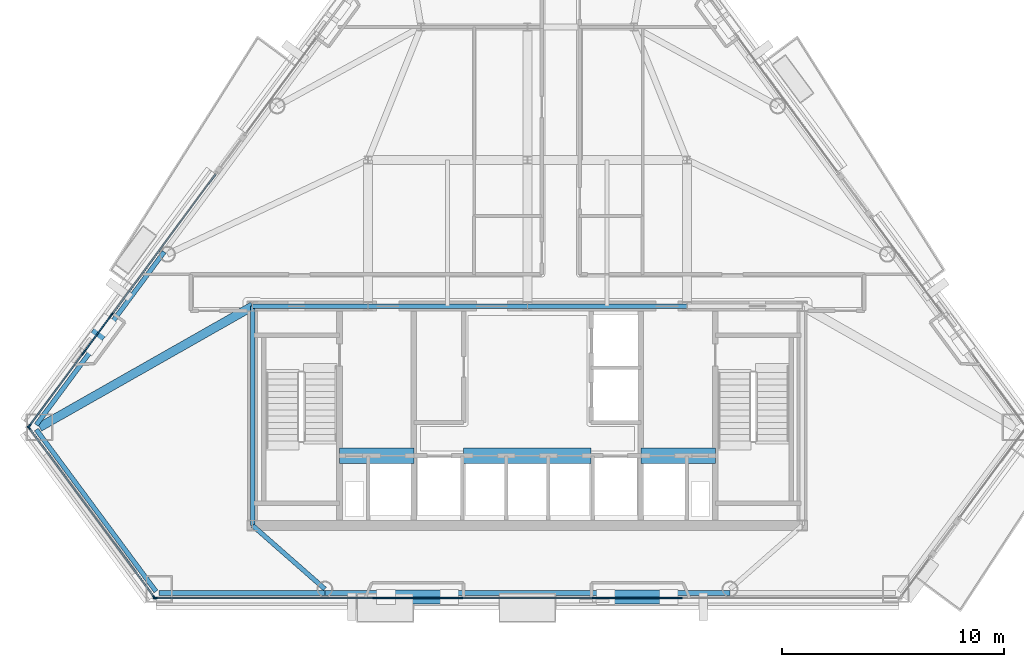
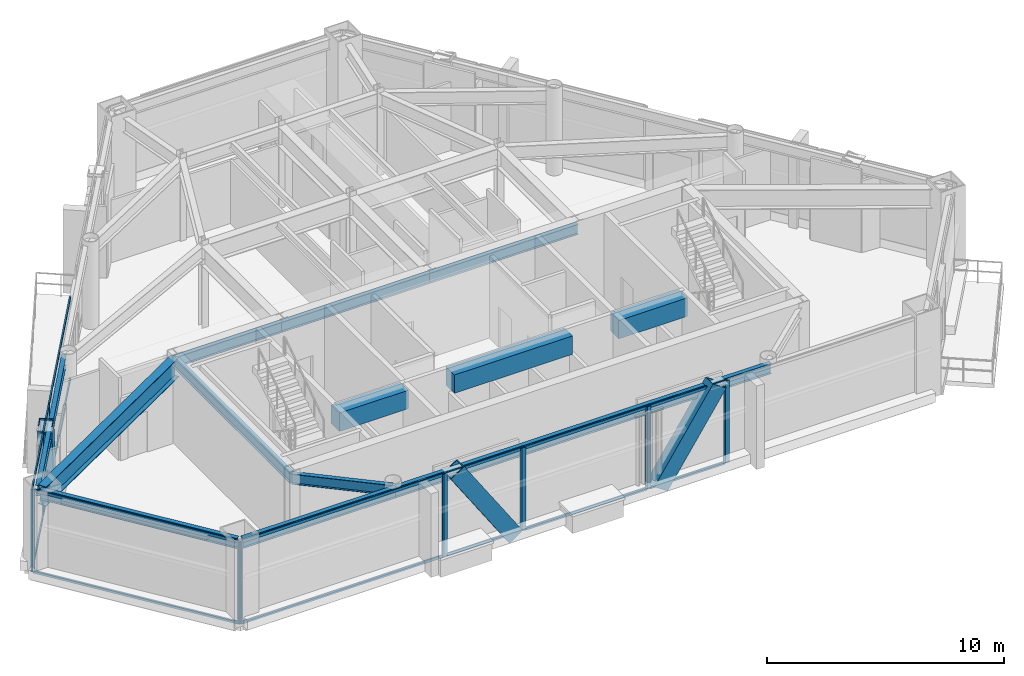
# One storey, part 3 of 11: 35 members, 13 beams, 9 elements without a shape of their own.
"""IFC4 building model written with IfcOpenShell, lengths in metres."""

from ifc_helpers import new_model, si_unit, direction, frame, origin, origin_2d, place, context, subcontext, project, spatial, rectangle, hollow_rectangle, i_section, extrude, material, layer, layer_set, material_profile, profile_set, type_object, element, aggregate, save


model = new_model("IFC4")

# Units and contexts
model_context = context("Model", 3, precision=1e-05, world=origin(), true_north=direction((0.0, 1.0)))
body_context = subcontext(model_context, "Body", "Model", "MODEL_VIEW")
ifc_project = project(units=[si_unit("LENGTHUNIT", "METRE"), si_unit("AREAUNIT", "SQUARE_METRE"), si_unit("VOLUMEUNIT", "CUBIC_METRE"), si_unit("PLANEANGLEUNIT", "RADIAN"), si_unit("MASSUNIT", "GRAM", prefix="KILO")], contexts=[model_context])

# Site, building, storey
site_placement = place(None, origin())
site = spatial("IfcSite", under=ifc_project, at=site_placement, CompositionType="ELEMENT")
building_placement = place(site_placement, origin())
building = spatial("IfcBuilding", under=site, at=building_placement, Name="Talgorran Terracotta Tower", CompositionType="ELEMENT")
storey_placement = place(building_placement, frame((0.0, 0.0, 117.60009765625)))
storey = spatial("IfcBuildingStorey", under=building, at=storey_placement, Name="L30", CompositionType="ELEMENT", Elevation=117.60009765625)

# Beams
ifc_material_1 = material(Name="Steel Grade 350 (350L0)", Category="steel")
ifc_material_profile_1 = material_profile(ifc_material_1, i_section(OverallWidth=0.39990234375, OverallDepth=1.0, WebThickness=0.01611328125, FlangeThickness=0.031005859375, at=origin_2d()), Name="1000WB296")
ifc_profile_set_1 = profile_set([ifc_material_profile_1], Name="Steel Grade 350 (350L0)")
beam_type_1 = type_object("IfcBeamType", Name="BM_1000WB296", PredefinedType="BEAM", material=ifc_profile_set_1)
beam_1_placement = place(storey_placement, frame((-12.39990234375, -4.199951171875, 3.75), z_axis=(-0.869581927132, -0.493788691654, 0.0), x_axis=(0.493788691654, -0.869581927132, 0.0)))
element("IfcBeam", 1, at=beam_1_placement, inside=storey, type_object=beam_type_1, Name="L30 Floor Girder G17", PredefinedType="BEAM", context=body_context, shape_type="SweptSolid", body=[
    extrude(i_section(OverallWidth=0.39990234375, OverallDepth=1.0, WebThickness=0.01611328125, FlangeThickness=0.031005859375, at=origin_2d()), origin(), (0.0, 0.0, 1.0), 11.061279296875),
])
ifc_material_2 = material(Name="Concrete C65/80", Category="concrete")
ifc_material_profile_2 = material_profile(ifc_material_2, rectangle(XDim=0.699951171875, YDim=0.949951171875, at=origin_2d()), Name="RCCB700X950")
ifc_profile_set_2 = profile_set([ifc_material_profile_2], Name="Concrete C65/80")
beam_type_2 = type_object("IfcBeamType", Name="BM_CB_700X950", PredefinedType="LINTEL", material=ifc_profile_set_2)
beam_2_placement = place(storey_placement, frame((-8.47998046875, -10.949951171875, 3.77490234375), z_axis=(1.0, 0.0, 0.0), x_axis=(0.0, 1.0, 0.0)))
element("IfcBeam", 2, at=beam_2_placement, inside=storey, type_object=beam_type_2, Name="L30 Core Shear-Wall Coupling Beam CB1", PredefinedType="LINTEL", context=body_context, shape_type="SweptSolid", body=[
    extrude(rectangle(XDim=0.699951171875, YDim=0.949951171875, at=origin_2d()), origin(), (0.0, 0.0, 1.0), 3.35986328125),
])
beam_3_placement = place(storey_placement, frame((-2.8798828125, -10.949951171875, 3.77490234375), z_axis=(1.0, 0.0, 0.0), x_axis=(0.0, 1.0, 0.0)))
element("IfcBeam", 3, at=beam_3_placement, inside=storey, type_object=beam_type_2, Name="L30 Core Shear-Wall Coupling Beam CB2", PredefinedType="LINTEL", context=body_context, shape_type="SweptSolid", body=[
    extrude(rectangle(XDim=0.699951171875, YDim=0.949951171875, at=origin_2d()), origin(), (0.0, 0.0, 1.0), 5.759765625),
])
beam_4_placement = place(storey_placement, frame((5.1201171875, -10.949951171875, 3.77490234375), z_axis=(1.0, 0.0, 0.0), x_axis=(0.0, 1.0, 0.0)))
element("IfcBeam", 4, at=beam_4_placement, inside=storey, type_object=beam_type_2, Name="L30 Core Shear-Wall Coupling Beam CB3", PredefinedType="LINTEL", context=body_context, shape_type="SweptSolid", body=[
    extrude(rectangle(XDim=0.699951171875, YDim=0.949951171875, at=origin_2d()), origin(), (0.0, 0.0, 1.0), 3.35986328125),
])
ifc_material_3 = material(Name="Steel S355 (300PLUS)", Category="steel")
ifc_material_profile_3 = material_profile(ifc_material_3, i_section(OverallWidth=0.209228515625, OverallDepth=0.532958984375, WebThickness=0.01025390625, FlangeThickness=0.015625, at=origin_2d()), Name="530UB92.4")
ifc_profile_set_3 = profile_set([ifc_material_profile_3], Name="Steel S355 (300PLUS)")
beam_type_3 = type_object("IfcBeamType", Name="BM_SP_530UB92", PredefinedType="SPANDREL", material=ifc_profile_set_3)
beam_5_placement = place(storey_placement, frame((-22.1630859375, -9.768798828125, 3.9833984375), z_axis=(0.594631406603, -0.803998439228, 0.0), x_axis=(0.803998439228, 0.594631406603, 0.0)))
element("IfcBeam", 5, at=beam_5_placement, inside=storey, type_object=beam_type_3, Name="L30 Perimeter Spandrel Beam MC1-MC2", PredefinedType="SPANDREL", context=body_context, shape_type="SweptSolid", body=[
    extrude(i_section(OverallWidth=0.209228515625, OverallDepth=0.532958984375, WebThickness=0.01025390625, FlangeThickness=0.015625, at=origin_2d()), origin(), (0.0, 0.0, 1.0), 9.08154296875),
])
beam_6_placement = place(storey_placement, frame((-16.618408203125, -17.143310546875, 3.9833984375), z_axis=(1.0, 0.0, 0.0), x_axis=(0.0, 1.0, 0.0)))
element("IfcBeam", 6, at=beam_6_placement, inside=storey, type_object=beam_type_3, Name="L30 Perimeter Spandrel Beam MC2-FC1", PredefinedType="SPANDREL", context=body_context, shape_type="SweptSolid", body=[
    extrude(i_section(OverallWidth=0.209228515625, OverallDepth=0.532958984375, WebThickness=0.01025390625, FlangeThickness=0.015625, at=origin_2d()), origin(), (0.0, 0.0, 1.0), 7.478271484375),
])
beam_7_placement = place(storey_placement, frame((-9.14013671875, -17.143310546875, 3.9833984375), z_axis=(1.0, 0.0, 0.0), x_axis=(0.0, 1.0, 0.0)))
element("IfcBeam", 7, at=beam_7_placement, inside=storey, type_object=beam_type_3, Name="L30 Perimeter Spandrel Beam FC1-FC2", PredefinedType="SPANDREL", context=body_context, shape_type="SweptSolid", body=[
    extrude(i_section(OverallWidth=0.209228515625, OverallDepth=0.532958984375, WebThickness=0.01025390625, FlangeThickness=0.015625, at=origin_2d()), origin(), (0.0, 0.0, 1.0), 18.2802734375),
])
beam_8_placement = place(storey_placement, frame((-16.3896484375, -1.74853515625, 3.9833984375), z_axis=(-0.594623640759, -0.804004182732, 0.0), x_axis=(0.804004182732, -0.594623640759, 0.0)))
element("IfcBeam", 8, at=beam_8_placement, inside=storey, type_object=beam_type_3, Name="L30 Perimeter Spandrel Beam FC6-MC1", PredefinedType="SPANDREL", context=body_context, shape_type="SweptSolid", body=[
    extrude(i_section(OverallWidth=0.209228515625, OverallDepth=0.532958984375, WebThickness=0.01025390625, FlangeThickness=0.015625, at=origin_2d()), origin(), (0.0, 0.0, 1.0), 9.70947265625),
])
beam_9_placement = place(storey_placement, frame((-9.14013671875, -16.96337890625, 3.9833984375), z_axis=(-0.751320451725, 0.659937556758, 0.0), x_axis=(-0.659937556758, -0.751320451725, 0.0)))
element("IfcBeam", 9, at=beam_9_placement, inside=storey, type_object=beam_type_3, Name="L30 South-West Core Tie Beam", PredefinedType="SPANDREL", context=body_context, shape_type="SweptSolid", body=[
    extrude(i_section(OverallWidth=0.209228515625, OverallDepth=0.532958984375, WebThickness=0.01025390625, FlangeThickness=0.015625, at=origin_2d()), origin(), (0.0, 0.0, 1.0), 4.338623046875),
])
beam_10_placement = place(storey_placement, frame((-12.39990234375, -14.10009765625, 3.9833984375), z_axis=(0.0, 1.0, 0.0), x_axis=(-1.0, 0.0, 0.0)))
element("IfcBeam", 10, at=beam_10_placement, inside=storey, type_object=beam_type_3, Name="L30 Core Frame Beam CFW", PredefinedType="SPANDREL", context=body_context, shape_type="SweptSolid", body=[
    extrude(i_section(OverallWidth=0.209228515625, OverallDepth=0.532958984375, WebThickness=0.01025390625, FlangeThickness=0.015625, at=origin_2d()), origin(), (0.0, 0.0, 1.0), 9.900146484375),
])
beam_11_placement = place(storey_placement, frame((-12.39990234375, -4.199951171875, 3.9833984375), z_axis=(1.0, 0.0, 0.0), x_axis=(0.0, 1.0, 0.0)))
element("IfcBeam", 11, at=beam_11_placement, inside=storey, type_object=beam_type_3, Name="L30 Core Frame Beam CFN1", PredefinedType="SPANDREL", context=body_context, shape_type="SweptSolid", body=[
    extrude(i_section(OverallWidth=0.209228515625, OverallDepth=0.532958984375, WebThickness=0.01025390625, FlangeThickness=0.015625, at=origin_2d()), origin(), (0.0, 0.0, 1.0), 5.199951171875),
])
for number, where, z_axis, x_axis, name in (
    (12, (-7.199951171875, -4.199951171875, 3.9833984375), (1.0, 0.0, 0.0), (0.0, 1.0, 0.0), "L30 Core Frame Beam CFN2"),
    (13, (0.0, -4.199951171875, 3.9833984375), (1.0, 0.0, 0.0), (0.0, 1.0, 0.0), "L30 Core Frame Beam CFN3"),
):
    element("IfcBeam", number, at=place(storey_placement, frame(where, z_axis=z_axis, x_axis=x_axis)), inside=storey, type_object=beam_type_3, Name=name, PredefinedType="SPANDREL", context=body_context, shape_type="SweptSolid", body=[
        extrude(i_section(OverallWidth=0.209228515625, OverallDepth=0.532958984375, WebThickness=0.01025390625, FlangeThickness=0.015625, at=origin_2d()), origin(), (0.0, 0.0, 1.0), 7.199951171875),
    ])

# Members
ifc_material_profile_4 = material_profile(ifc_material_1, hollow_rectangle(XDim=0.6201171875, YDim=0.780029296875, WallThickness=0.0419921875, at=origin_2d()), Name="WBOX780X620X42")
ifc_profile_set_4 = profile_set([ifc_material_profile_4], Name="Steel Grade 350 (350L0)")
member_type_1 = type_object("IfcMemberType", Name="MB_MEGA_780", PredefinedType="BRACE", material=ifc_profile_set_4)
for number, where, z_axis, x_axis, name in (
    (14, (-3.528076171875, -17.3232421875, -0.025146484375), (-0.55322586202, 0.0, 0.833031299287), (0.0, -1.0, 0.0), "L30 Exterior Face Mega-Brace MB-2 (SWF)"),
    (15, (3.528076171875, -17.3232421875, -0.025146484375), (0.55322586202, 0.0, 0.833031299287), (0.0, 1.0, 0.0), "L30 Exterior Face Mega-Brace MB-2 (SEF)"),
):
    element("IfcMember", number, at=place(storey_placement, frame(where, z_axis=z_axis, x_axis=x_axis)), inside=storey, type_object=member_type_1, Name=name, PredefinedType="BRACE", context=body_context, shape_type="SweptSolid", body=[
        extrude(hollow_rectangle(XDim=0.6201171875, YDim=0.780029296875, WallThickness=0.0419921875, at=origin_2d()), origin(), (0.0, 0.0, 1.0), 5.161865234375),
    ])
member_1_placement = place(storey_placement, frame((-19.063720703125, -5.06103515625, -0.025146484375), z_axis=(-0.140147963335, -0.189530808683, 0.971821290636), x_axis=(0.804054507608, -0.594555589323, 0.0)))
element("IfcMember", 16, at=member_1_placement, inside=storey, type_object=member_type_1, Name="L30 Exterior Face Mega-Brace MB-2 (NWL)", PredefinedType="BRACE", context=body_context, shape_type="SweptSolid", body=[
    extrude(hollow_rectangle(XDim=0.6201171875, YDim=0.780029296875, WallThickness=0.0419921875, at=origin_2d()), origin(), (0.0, 0.0, 1.0), 4.4248046875),
])

# Curtain wall, members
ifc_material_4 = material(Name="Unitised Low-E Double Glazing", Category="glass")
ifc_layer = layer(ifc_material_4, 0.199951171875, Name="CW_SYS2_RES_LOW")
ifc_layer_set = layer_set([ifc_layer], Name="Unitised Low-E Double Glazing")
curtain_wall_type = type_object("IfcCurtainWallType", Name="CW_SYS2_RES_LOW", PredefinedType="NOTDEFINED", material=ifc_layer_set)
curtain_wall_1_placement = place(storey_placement, origin())
curtain_wall_1 = element("IfcCurtainWall", 17, at=curtain_wall_1_placement, inside=storey, type_object=curtain_wall_type, Name="CW-L30-F0", PredefinedType="NOTDEFINED")
ifc_material_5 = material(Name="Architectural Aluminium 6063-T6", Category="aluminium")
ifc_material_profile_5 = material_profile(ifc_material_5, rectangle(XDim=0.06494140625, YDim=0.18505859375, at=origin_2d()), Name="CWM65X185")
ifc_profile_set_5 = profile_set([ifc_material_profile_5], Name="Architectural Aluminium 6063-T6")
member_type_2 = type_object("IfcMemberType", Name="MUL_65X185", PredefinedType="MULLION", material=ifc_profile_set_5)
member_2_placement = place(storey_placement, frame((-22.49658203125, -9.68798828125, 0.0), z_axis=(0.0, 0.0, 1.0), x_axis=(0.803993423692, 0.594638188027, 0.0)))
member_2 = element("IfcMember", 18, at=member_2_placement, type_object=member_type_2, Name="CW-L30-0 mullion 1", PredefinedType="MULLION", context=body_context, shape_type="SweptSolid", body=[
    extrude(rectangle(XDim=0.06494140625, YDim=0.18505859375, at=origin_2d()), origin(), (0.0, 0.0, 1.0), 4.25),
])
member_3_placement = place(storey_placement, frame((-16.83935546875, -17.337158203125, 0.0), z_axis=(0.0, 0.0, 1.0), x_axis=(0.803993423692, 0.594638188027, 0.0)))
member_3 = element("IfcMember", 19, at=member_3_placement, type_object=member_type_2, Name="CW-L30-0 mullion 2", PredefinedType="MULLION", context=body_context, shape_type="SweptSolid", body=[
    extrude(rectangle(XDim=0.06494140625, YDim=0.18505859375, at=origin_2d()), origin(), (0.0, 0.0, 1.0), 4.25),
])

curtain_wall_2_placement = place(storey_placement, origin())
curtain_wall_2 = element("IfcCurtainWall", 20, at=curtain_wall_2_placement, inside=storey, type_object=curtain_wall_type, Name="CW-L30-F1", PredefinedType="NOTDEFINED")
member_4_placement = place(storey_placement, frame((-16.78759765625, -17.36328125, 0.0), z_axis=(0.0, 0.0, 1.0), x_axis=(0.0, 1.0, 0.0)))
member_4 = element("IfcMember", 21, at=member_4_placement, type_object=member_type_2, Name="CW-L30-1 mullion 1", PredefinedType="MULLION", context=body_context, shape_type="SweptSolid", body=[
    extrude(rectangle(XDim=0.06494140625, YDim=0.18505859375, at=origin_2d()), origin(), (0.0, 0.0, 1.0), 4.25),
])
member_5_placement = place(storey_placement, frame((-6.896240234375, -17.36328125, 0.0), z_axis=(0.0, 0.0, 1.0), x_axis=(0.0, 1.0, 0.0)))
member_5 = element("IfcMember", 22, at=member_5_placement, type_object=member_type_2, Name="CW-L30-1 mullion 2", PredefinedType="MULLION", context=body_context, shape_type="SweptSolid", body=[
    extrude(rectangle(XDim=0.06494140625, YDim=0.18505859375, at=origin_2d()), origin(), (0.0, 0.0, 1.0), 4.25),
])

curtain_wall_3_placement = place(storey_placement, origin())
curtain_wall_3 = element("IfcCurtainWall", 23, at=curtain_wall_3_placement, inside=storey, type_object=curtain_wall_type, Name="CW-L30-F1B", PredefinedType="NOTDEFINED")
member_6_placement = place(storey_placement, frame((-6.8212890625, -17.36328125, 0.0), z_axis=(0.0, 0.0, 1.0), x_axis=(0.0, 1.0, 0.0)))
member_6 = element("IfcMember", 24, at=member_6_placement, type_object=member_type_2, Name="CW-L30-1B mullion 1", PredefinedType="MULLION", context=body_context, shape_type="SweptSolid", body=[
    extrude(rectangle(XDim=0.06494140625, YDim=0.18505859375, at=origin_2d()), origin(), (0.0, 0.0, 1.0), 4.25),
])
member_7_placement = place(storey_placement, frame((-3.090576171875, -17.36328125, 0.0), z_axis=(0.0, 0.0, 1.0), x_axis=(0.0, 1.0, 0.0)))
member_7 = element("IfcMember", 25, at=member_7_placement, type_object=member_type_2, Name="CW-L30-1B mullion 2", PredefinedType="MULLION", context=body_context, shape_type="SweptSolid", body=[
    extrude(rectangle(XDim=0.06494140625, YDim=0.18505859375, at=origin_2d()), origin(), (0.0, 0.0, 1.0), 4.25),
])

curtain_wall_4_placement = place(storey_placement, origin())
curtain_wall_4 = element("IfcCurtainWall", 26, at=curtain_wall_4_placement, inside=storey, type_object=curtain_wall_type, Name="CW-L30-F1C", PredefinedType="NOTDEFINED")
member_8_placement = place(storey_placement, frame((-3.015625, -17.36328125, 0.0), z_axis=(0.0, 0.0, 1.0), x_axis=(0.0, 1.0, 0.0)))
member_8 = element("IfcMember", 27, at=member_8_placement, type_object=member_type_2, Name="CW-L30-1C mullion 1", PredefinedType="MULLION", context=body_context, shape_type="SweptSolid", body=[
    extrude(rectangle(XDim=0.06494140625, YDim=0.18505859375, at=origin_2d()), origin(), (0.0, 0.0, 1.0), 4.25),
])
member_9_placement = place(storey_placement, frame((3.015625, -17.36328125, 0.0), z_axis=(0.0, 0.0, 1.0), x_axis=(0.0, 1.0, 0.0)))
member_9 = element("IfcMember", 28, at=member_9_placement, type_object=member_type_2, Name="CW-L30-1C mullion 2", PredefinedType="MULLION", context=body_context, shape_type="SweptSolid", body=[
    extrude(rectangle(XDim=0.06494140625, YDim=0.18505859375, at=origin_2d()), origin(), (0.0, 0.0, 1.0), 4.25),
])

curtain_wall_5_placement = place(storey_placement, origin())
curtain_wall_5 = element("IfcCurtainWall", 29, at=curtain_wall_5_placement, inside=storey, type_object=curtain_wall_type, Name="CW-L30-F1D", PredefinedType="NOTDEFINED")
member_10_placement = place(storey_placement, frame((3.090576171875, -17.36328125, 0.0), z_axis=(0.0, 0.0, 1.0), x_axis=(0.0, 1.0, 0.0)))
member_10 = element("IfcMember", 30, at=member_10_placement, type_object=member_type_2, Name="CW-L30-1D mullion 1", PredefinedType="MULLION", context=body_context, shape_type="SweptSolid", body=[
    extrude(rectangle(XDim=0.06494140625, YDim=0.18505859375, at=origin_2d()), origin(), (0.0, 0.0, 1.0), 4.25),
])
member_11_placement = place(storey_placement, frame((6.8212890625, -17.36328125, 0.0), z_axis=(0.0, 0.0, 1.0), x_axis=(0.0, 1.0, 0.0)))
member_11 = element("IfcMember", 31, at=member_11_placement, type_object=member_type_2, Name="CW-L30-1D mullion 2", PredefinedType="MULLION", context=body_context, shape_type="SweptSolid", body=[
    extrude(rectangle(XDim=0.06494140625, YDim=0.18505859375, at=origin_2d()), origin(), (0.0, 0.0, 1.0), 4.25),
])

# Curtain wall, member
curtain_wall_6_placement = place(storey_placement, origin())
curtain_wall_6 = element("IfcCurtainWall", 32, at=curtain_wall_6_placement, inside=storey, type_object=curtain_wall_type, Name="CW-L30-F1E", PredefinedType="NOTDEFINED")
member_12_placement = place(storey_placement, frame((6.896240234375, -17.36328125, 0.0), z_axis=(0.0, 0.0, 1.0), x_axis=(0.0, 1.0, 0.0)))
member_12 = element("IfcMember", 33, at=member_12_placement, type_object=member_type_2, Name="CW-L30-1E mullion 1", PredefinedType="MULLION", context=body_context, shape_type="SweptSolid", body=[
    extrude(rectangle(XDim=0.06494140625, YDim=0.18505859375, at=origin_2d()), origin(), (0.0, 0.0, 1.0), 4.25),
])
aggregate(curtain_wall_6, [member_12])

curtain_wall_7_placement = place(storey_placement, origin())
curtain_wall_7 = element("IfcCurtainWall", 34, at=curtain_wall_7_placement, inside=storey, type_object=curtain_wall_type, Name="CW-L30-F61", PredefinedType="NOTDEFINED")
member_13_placement = place(storey_placement, frame((-18.7587890625, -4.581787109375, 0.0), z_axis=(0.0, 0.0, 1.0), x_axis=(0.803995755441, -0.594635035322, 0.0)))
member_13 = element("IfcMember", 35, at=member_13_placement, type_object=member_type_2, Name="CW-L30-61 mullion 2", PredefinedType="MULLION", context=body_context, shape_type="SweptSolid", body=[
    extrude(rectangle(XDim=0.06494140625, YDim=0.18505859375, at=origin_2d()), origin(), (0.0, 0.0, 1.0), 4.25),
])

# Curtain wall, members
curtain_wall_8_placement = place(storey_placement, origin())
curtain_wall_8 = element("IfcCurtainWall", 36, at=curtain_wall_8_placement, inside=storey, type_object=curtain_wall_type, Name="CW-L30-F61B", PredefinedType="NOTDEFINED")
member_14_placement = place(storey_placement, frame((-18.803466796875, -4.642333984375, 0.0), z_axis=(0.0, 0.0, 1.0), x_axis=(0.803999196065, -0.594630383286, 0.0)))
member_14 = element("IfcMember", 37, at=member_14_placement, type_object=member_type_2, Name="CW-L30-61B mullion 1", PredefinedType="MULLION", context=body_context, shape_type="SweptSolid", body=[
    extrude(rectangle(XDim=0.06494140625, YDim=0.18505859375, at=origin_2d()), origin(), (0.0, 0.0, 1.0), 4.25),
])
member_15_placement = place(storey_placement, frame((-20.008056640625, -6.271240234375, 0.0), z_axis=(0.0, 0.0, 1.0), x_axis=(0.803999196065, -0.594630383286, 0.0)))
member_15 = element("IfcMember", 38, at=member_15_placement, type_object=member_type_2, Name="CW-L30-61B mullion 2", PredefinedType="MULLION", context=body_context, shape_type="SweptSolid", body=[
    extrude(rectangle(XDim=0.06494140625, YDim=0.18505859375, at=origin_2d()), origin(), (0.0, 0.0, 1.0), 4.25),
])

curtain_wall_9_placement = place(storey_placement, origin())
curtain_wall_9 = element("IfcCurtainWall", 39, at=curtain_wall_9_placement, inside=storey, type_object=curtain_wall_type, Name="CW-L30-F61C", PredefinedType="NOTDEFINED")
member_16_placement = place(storey_placement, frame((-20.052734375, -6.33154296875, 0.0), z_axis=(0.0, 0.0, 1.0), x_axis=(0.803998681636, -0.594631078845, 0.0)))
member_16 = element("IfcMember", 40, at=member_16_placement, type_object=member_type_2, Name="CW-L30-61C mullion 1", PredefinedType="MULLION", context=body_context, shape_type="SweptSolid", body=[
    extrude(rectangle(XDim=0.06494140625, YDim=0.18505859375, at=origin_2d()), origin(), (0.0, 0.0, 1.0), 4.25),
])
member_17_placement = place(storey_placement, frame((-22.472900390625, -9.603515625, 0.0), z_axis=(0.0, 0.0, 1.0), x_axis=(0.803998681636, -0.594631078845, 0.0)))
member_17 = element("IfcMember", 41, at=member_17_placement, type_object=member_type_2, Name="CW-L30-61C mullion 2", PredefinedType="MULLION", context=body_context, shape_type="SweptSolid", body=[
    extrude(rectangle(XDim=0.06494140625, YDim=0.18505859375, at=origin_2d()), origin(), (0.0, 0.0, 1.0), 4.25),
])

# Member
ifc_material_profile_6 = material_profile(ifc_material_5, rectangle(XDim=0.06494140625, YDim=0.14990234375, at=origin_2d()), Name="CWT65X150")
ifc_profile_set_6 = profile_set([ifc_material_profile_6], Name="Architectural Aluminium 6063-T6")
member_type_3 = type_object("IfcMemberType", Name="TRN_65X150", PredefinedType="USERDEFINED", material=ifc_profile_set_6)
member_18_placement = place(storey_placement, frame((-22.477294921875, -9.714111328125, 0.032470703125), z_axis=(0.594632956337, -0.803997293054, 0.0), x_axis=(0.803997293054, 0.594632956337, 0.0)))
member_18 = element("IfcMember", 42, at=member_18_placement, type_object=member_type_3, Name="CW-L30-0 transom 1.1", ObjectType="TRANSOM", PredefinedType="USERDEFINED", context=body_context, shape_type="SweptSolid", body=[
    extrude(rectangle(XDim=0.06494140625, YDim=0.14990234375, at=origin_2d()), origin(), (0.0, 0.0, 1.0), 9.448974609375),
])

member_19_placement = place(storey_placement, frame((-22.477294921875, -9.714111328125, 4.21728515625), z_axis=(0.594632956337, -0.803997293054, 0.0), x_axis=(0.803997293054, 0.594632956337, 0.0)))
member_19 = element("IfcMember", 43, at=member_19_placement, type_object=member_type_3, Name="CW-L30-0 transom 1.2", ObjectType="TRANSOM", PredefinedType="USERDEFINED", context=body_context, shape_type="SweptSolid", body=[
    extrude(rectangle(XDim=0.06494140625, YDim=0.14990234375, at=origin_2d()), origin(), (0.0, 0.0, 1.0), 9.448974609375),
])

aggregate(curtain_wall_1, [member_2, member_3, member_18, member_19])

member_20_placement = place(storey_placement, frame((-16.7548828125, -17.36328125, 0.032470703125), z_axis=(1.0, 0.0, 0.0), x_axis=(0.0, 1.0, 0.0)))
member_20 = element("IfcMember", 44, at=member_20_placement, type_object=member_type_3, Name="CW-L30-1 transom 1.1", ObjectType="TRANSOM", PredefinedType="USERDEFINED", context=body_context, shape_type="SweptSolid", body=[
    extrude(rectangle(XDim=0.06494140625, YDim=0.14990234375, at=origin_2d()), origin(), (0.0, 0.0, 1.0), 9.826171875),
])

member_21_placement = place(storey_placement, frame((-16.7548828125, -17.36328125, 4.21728515625), z_axis=(1.0, 0.0, 0.0), x_axis=(0.0, 1.0, 0.0)))
member_21 = element("IfcMember", 45, at=member_21_placement, type_object=member_type_3, Name="CW-L30-1 transom 1.2", ObjectType="TRANSOM", PredefinedType="USERDEFINED", context=body_context, shape_type="SweptSolid", body=[
    extrude(rectangle(XDim=0.06494140625, YDim=0.14990234375, at=origin_2d()), origin(), (0.0, 0.0, 1.0), 9.826171875),
])

aggregate(curtain_wall_2, [member_4, member_5, member_20, member_21])

member_22_placement = place(storey_placement, frame((-6.788818359375, -17.36328125, 0.032470703125), z_axis=(1.0, 0.0, 0.0), x_axis=(0.0, 1.0, 0.0)))
member_22 = element("IfcMember", 46, at=member_22_placement, type_object=member_type_3, Name="CW-L30-1B transom 1.1", ObjectType="TRANSOM", PredefinedType="USERDEFINED", context=body_context, shape_type="SweptSolid", body=[
    extrude(rectangle(XDim=0.06494140625, YDim=0.14990234375, at=origin_2d()), origin(), (0.0, 0.0, 1.0), 3.665771484375),
])

member_23_placement = place(storey_placement, frame((-6.788818359375, -17.36328125, 4.21728515625), z_axis=(1.0, 0.0, 0.0), x_axis=(0.0, 1.0, 0.0)))
member_23 = element("IfcMember", 47, at=member_23_placement, type_object=member_type_3, Name="CW-L30-1B transom 1.2", ObjectType="TRANSOM", PredefinedType="USERDEFINED", context=body_context, shape_type="SweptSolid", body=[
    extrude(rectangle(XDim=0.06494140625, YDim=0.14990234375, at=origin_2d()), origin(), (0.0, 0.0, 1.0), 3.665771484375),
])

aggregate(curtain_wall_3, [member_6, member_7, member_22, member_23])

member_24_placement = place(storey_placement, frame((-2.983154296875, -17.36328125, 0.032470703125), z_axis=(1.0, 0.0, 0.0), x_axis=(0.0, 1.0, 0.0)))
member_24 = element("IfcMember", 48, at=member_24_placement, type_object=member_type_3, Name="CW-L30-1C transom 1.1", ObjectType="TRANSOM", PredefinedType="USERDEFINED", context=body_context, shape_type="SweptSolid", body=[
    extrude(rectangle(XDim=0.06494140625, YDim=0.14990234375, at=origin_2d()), origin(), (0.0, 0.0, 1.0), 5.96630859375),
])

member_25_placement = place(storey_placement, frame((-2.983154296875, -17.36328125, 4.21728515625), z_axis=(1.0, 0.0, 0.0), x_axis=(0.0, 1.0, 0.0)))
member_25 = element("IfcMember", 49, at=member_25_placement, type_object=member_type_3, Name="CW-L30-1C transom 1.2", ObjectType="TRANSOM", PredefinedType="USERDEFINED", context=body_context, shape_type="SweptSolid", body=[
    extrude(rectangle(XDim=0.06494140625, YDim=0.14990234375, at=origin_2d()), origin(), (0.0, 0.0, 1.0), 5.96630859375),
])

aggregate(curtain_wall_4, [member_8, member_9, member_24, member_25])

member_26_placement = place(storey_placement, frame((3.123046875, -17.36328125, 0.032470703125), z_axis=(1.0, 0.0, 0.0), x_axis=(0.0, 1.0, 0.0)))
member_26 = element("IfcMember", 50, at=member_26_placement, type_object=member_type_3, Name="CW-L30-1D transom 1.1", ObjectType="TRANSOM", PredefinedType="USERDEFINED", context=body_context, shape_type="SweptSolid", body=[
    extrude(rectangle(XDim=0.06494140625, YDim=0.14990234375, at=origin_2d()), origin(), (0.0, 0.0, 1.0), 3.665771484375),
])

member_27_placement = place(storey_placement, frame((3.123046875, -17.36328125, 4.21728515625), z_axis=(1.0, 0.0, 0.0), x_axis=(0.0, 1.0, 0.0)))
member_27 = element("IfcMember", 51, at=member_27_placement, type_object=member_type_3, Name="CW-L30-1D transom 1.2", ObjectType="TRANSOM", PredefinedType="USERDEFINED", context=body_context, shape_type="SweptSolid", body=[
    extrude(rectangle(XDim=0.06494140625, YDim=0.14990234375, at=origin_2d()), origin(), (0.0, 0.0, 1.0), 3.665771484375),
])

aggregate(curtain_wall_5, [member_10, member_11, member_26, member_27])

member_28_placement = place(storey_placement, frame((-14.068115234375, 1.76025390625, 0.032470703125), z_axis=(-0.59464618979, -0.80398750548, 0.0), x_axis=(0.80398750548, -0.59464618979, 0.0)))
member_28 = element("IfcMember", 52, at=member_28_placement, type_object=member_type_3, Name="CW-L30-61 transom 1.1", ObjectType="TRANSOM", PredefinedType="USERDEFINED", context=body_context, shape_type="SweptSolid", body=[
    extrude(rectangle(XDim=0.06494140625, YDim=0.14990234375, at=origin_2d()), origin(), (0.0, 0.0, 1.0), 7.855712890625),
])

member_29_placement = place(storey_placement, frame((-14.068115234375, 1.76025390625, 4.21728515625), z_axis=(-0.59464618979, -0.80398750548, 0.0), x_axis=(0.80398750548, -0.59464618979, 0.0)))
member_29 = element("IfcMember", 53, at=member_29_placement, type_object=member_type_3, Name="CW-L30-61 transom 1.2", ObjectType="TRANSOM", PredefinedType="USERDEFINED", context=body_context, shape_type="SweptSolid", body=[
    extrude(rectangle(XDim=0.06494140625, YDim=0.14990234375, at=origin_2d()), origin(), (0.0, 0.0, 1.0), 7.855712890625),
])

aggregate(curtain_wall_7, [member_13, member_28, member_29])

member_30_placement = place(storey_placement, frame((-18.82275390625, -4.66845703125, 0.032470703125), z_axis=(-0.594608075901, -0.804015693922, 0.0), x_axis=(0.804015693922, -0.594608075901, 0.0)))
member_30 = element("IfcMember", 54, at=member_30_placement, type_object=member_type_3, Name="CW-L30-61B transom 1.1", ObjectType="TRANSOM", PredefinedType="USERDEFINED", context=body_context, shape_type="SweptSolid", body=[
    extrude(rectangle(XDim=0.06494140625, YDim=0.14990234375, at=origin_2d()), origin(), (0.0, 0.0, 1.0), 1.9609375),
])

member_31_placement = place(storey_placement, frame((-18.82275390625, -4.66845703125, 4.21728515625), z_axis=(-0.594608075901, -0.804015693922, 0.0), x_axis=(0.804015693922, -0.594608075901, 0.0)))
member_31 = element("IfcMember", 55, at=member_31_placement, type_object=member_type_3, Name="CW-L30-61B transom 1.2", ObjectType="TRANSOM", PredefinedType="USERDEFINED", context=body_context, shape_type="SweptSolid", body=[
    extrude(rectangle(XDim=0.06494140625, YDim=0.14990234375, at=origin_2d()), origin(), (0.0, 0.0, 1.0), 1.9609375),
])

aggregate(curtain_wall_8, [member_14, member_15, member_30, member_31])

member_32_placement = place(storey_placement, frame((-20.072265625, -6.357666015625, 0.032470703125), z_axis=(-0.594641297063, -0.803991124222, 0.0), x_axis=(0.803991124222, -0.594641297063, 0.0)))
member_32 = element("IfcMember", 56, at=member_32_placement, type_object=member_type_3, Name="CW-L30-61C transom 1.1", ObjectType="TRANSOM", PredefinedType="USERDEFINED", context=body_context, shape_type="SweptSolid", body=[
    extrude(rectangle(XDim=0.06494140625, YDim=0.14990234375, at=origin_2d()), origin(), (0.0, 0.0, 1.0), 4.004638671875),
])

member_33_placement = place(storey_placement, frame((-20.072265625, -6.357666015625, 4.21728515625), z_axis=(-0.594641297063, -0.803991124222, 0.0), x_axis=(0.803991124222, -0.594641297063, 0.0)))
member_33 = element("IfcMember", 57, at=member_33_placement, type_object=member_type_3, Name="CW-L30-61C transom 1.2", ObjectType="TRANSOM", PredefinedType="USERDEFINED", context=body_context, shape_type="SweptSolid", body=[
    extrude(rectangle(XDim=0.06494140625, YDim=0.14990234375, at=origin_2d()), origin(), (0.0, 0.0, 1.0), 4.004638671875),
])

aggregate(curtain_wall_9, [member_16, member_17, member_32, member_33])

save(model, "model.ifc")
